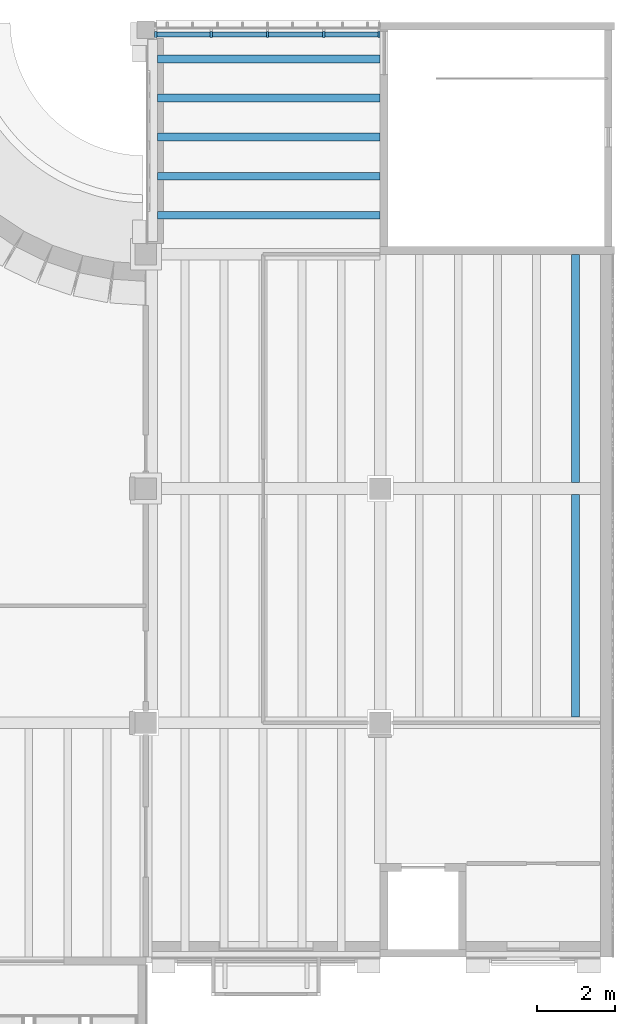
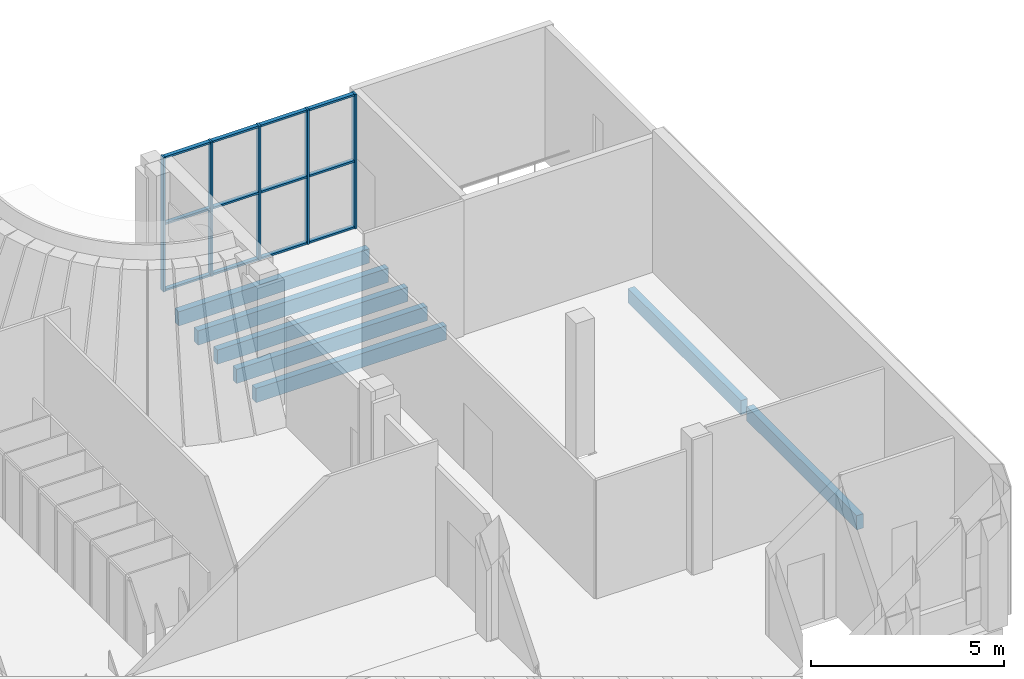
# One storey, part 16 of 70: 17 members, 7 beams, 1 element without a shape of its own.
"""IFC4 building model written with IfcOpenShell, lengths in metres."""

from ifc_helpers import new_model, si_unit, direction, frame, origin, origin_2d, place, context, subcontext, project, spatial, rectangle, extrude, material, material_profile, profile_set, type_object, element, aggregate, save


model = new_model("IFC4")

# Units and contexts
model_context = context("Model", 3, precision=1e-05, world=origin(), true_north=direction((0.0, 1.0)))
body_context = subcontext(model_context, "Body", "Model", "MODEL_VIEW")
ifc_project = project(units=[si_unit("LENGTHUNIT", "METRE"), si_unit("AREAUNIT", "SQUARE_METRE"), si_unit("VOLUMEUNIT", "CUBIC_METRE"), si_unit("PLANEANGLEUNIT", "RADIAN"), si_unit("MASSUNIT", "GRAM", prefix="KILO")], contexts=[model_context])

# Site, building, storey
site_placement = place(None, origin())
site = spatial("IfcSite", under=ifc_project, at=site_placement, CompositionType="ELEMENT")
building_placement = place(site_placement, origin())
building = spatial("IfcBuilding", under=site, at=building_placement, Name="Saffron Lane Theatres", CompositionType="ELEMENT")
storey_placement = place(building_placement, frame((0.0, 0.0, 12.0)))
storey = spatial("IfcBuildingStorey", under=building, at=storey_placement, Name="L02", CompositionType="ELEMENT", Elevation=12.0)

# Curtain wall, members
ifc_material_1 = material(Name="Aluminium", Category="aluminium")
curtain_wall_type = type_object("IfcCurtainWallType", Name="EX-CURTAIN WALL 5770x4250x160", PredefinedType="NOTDEFINED", material=ifc_material_1)
curtain_wall_placement = place(storey_placement, origin())
curtain_wall = element("IfcCurtainWall", 1, at=curtain_wall_placement, inside=storey, type_object=curtain_wall_type, Name="Curtain wall L02 03", PredefinedType="NOTDEFINED")
ifc_material_2 = material(Name="Aluminium", Category="aluminium")
ifc_material_profile_1 = material_profile(ifc_material_2, rectangle(XDim=0.06005859375, YDim=0.159912109375, at=origin_2d()))
ifc_profile_set_1 = profile_set([ifc_material_profile_1], Name="Aluminium")
member_type_1 = type_object("IfcMemberType", Name="EX-CW MULLION 60x160", PredefinedType="MULLION", material=ifc_profile_set_1)
member_1_placement = place(storey_placement, frame((54.255126953125, 125.6298828125, 0.0), z_axis=(0.0, 0.0, 1.0), x_axis=(1.0, 0.0, 0.0)))
member_1 = element("IfcMember", 2, at=member_1_placement, type_object=member_type_1, Name="CW-02-03 mullion 1", PredefinedType="MULLION", context=body_context, shape_type="SweptSolid", body=[
    extrude(rectangle(XDim=0.06005859375, YDim=0.159912109375, at=origin_2d()), origin(), (0.0, 0.0, 1.0), 4.25),
])
member_2_placement = place(storey_placement, frame((55.668701171875, 125.6298828125, 0.0), z_axis=(0.0, 0.0, 1.0), x_axis=(1.0, 0.0, 0.0)))
member_2 = element("IfcMember", 3, at=member_2_placement, type_object=member_type_1, Name="CW-02-03 mullion 2", PredefinedType="MULLION", context=body_context, shape_type="SweptSolid", body=[
    extrude(rectangle(XDim=0.06005859375, YDim=0.159912109375, at=origin_2d()), origin(), (0.0, 0.0, 1.0), 4.25),
])
member_3_placement = place(storey_placement, frame((57.112548828125, 125.6298828125, 0.0), z_axis=(0.0, 0.0, 1.0), x_axis=(1.0, 0.0, 0.0)))
member_3 = element("IfcMember", 4, at=member_3_placement, type_object=member_type_1, Name="CW-02-03 mullion 3", PredefinedType="MULLION", context=body_context, shape_type="SweptSolid", body=[
    extrude(rectangle(XDim=0.06005859375, YDim=0.159912109375, at=origin_2d()), origin(), (0.0, 0.0, 1.0), 4.25),
])
member_4_placement = place(storey_placement, frame((58.55615234375, 125.6298828125, 0.0), z_axis=(0.0, 0.0, 1.0), x_axis=(1.0, 0.0, 0.0)))
member_4 = element("IfcMember", 5, at=member_4_placement, type_object=member_type_1, Name="CW-02-03 mullion 4", PredefinedType="MULLION", context=body_context, shape_type="SweptSolid", body=[
    extrude(rectangle(XDim=0.06005859375, YDim=0.159912109375, at=origin_2d()), origin(), (0.0, 0.0, 1.0), 4.25),
])
member_5_placement = place(storey_placement, frame((59.969970703125, 125.6298828125, 0.0), z_axis=(0.0, 0.0, 1.0), x_axis=(1.0, 0.0, 0.0)))
member_5 = element("IfcMember", 6, at=member_5_placement, type_object=member_type_1, Name="CW-02-03 mullion 5", PredefinedType="MULLION", context=body_context, shape_type="SweptSolid", body=[
    extrude(rectangle(XDim=0.06005859375, YDim=0.159912109375, at=origin_2d()), origin(), (0.0, 0.0, 1.0), 4.25),
])
ifc_material_3 = material(Name="Aluminium", Category="aluminium")
ifc_material_profile_2 = material_profile(ifc_material_3, rectangle(XDim=0.1201171875, YDim=0.06005859375, at=origin_2d()))
ifc_profile_set_2 = profile_set([ifc_material_profile_2], Name="Aluminium")
member_type_2 = type_object("IfcMemberType", Name="EX-CW TRANSOM 120x60", PredefinedType="USERDEFINED", material=ifc_profile_set_2)
member_6_placement = place(storey_placement, frame((54.28515625, 125.6298828125, 0.030029296875), z_axis=(1.0, 0.0, 0.0), x_axis=(0.0, 1.0, 0.0)))
member_6 = element("IfcMember", 7, at=member_6_placement, type_object=member_type_2, Name="CW-02-03 transom 1.1", ObjectType="TRANSOM", PredefinedType="USERDEFINED", context=body_context, shape_type="SweptSolid", body=[
    extrude(rectangle(XDim=0.1201171875, YDim=0.06005859375, at=origin_2d()), origin(), (0.0, 0.0, 1.0), 1.353759765625),
])
member_7_placement = place(storey_placement, frame((54.28515625, 125.6298828125, 2.125), z_axis=(1.0, 0.0, 0.0), x_axis=(0.0, 1.0, 0.0)))
member_7 = element("IfcMember", 8, at=member_7_placement, type_object=member_type_2, Name="CW-02-03 transom 1.2", ObjectType="TRANSOM", PredefinedType="USERDEFINED", context=body_context, shape_type="SweptSolid", body=[
    extrude(rectangle(XDim=0.1201171875, YDim=0.06005859375, at=origin_2d()), origin(), (0.0, 0.0, 1.0), 1.353759765625),
])
member_8_placement = place(storey_placement, frame((54.28515625, 125.6298828125, 4.219970703125), z_axis=(1.0, 0.0, 0.0), x_axis=(0.0, 1.0, 0.0)))
member_8 = element("IfcMember", 9, at=member_8_placement, type_object=member_type_2, Name="CW-02-03 transom 1.3", ObjectType="TRANSOM", PredefinedType="USERDEFINED", context=body_context, shape_type="SweptSolid", body=[
    extrude(rectangle(XDim=0.1201171875, YDim=0.06005859375, at=origin_2d()), origin(), (0.0, 0.0, 1.0), 1.353759765625),
])
member_9_placement = place(storey_placement, frame((55.69873046875, 125.6298828125, 0.030029296875), z_axis=(1.0, 0.0, 0.0), x_axis=(0.0, 1.0, 0.0)))
member_9 = element("IfcMember", 10, at=member_9_placement, type_object=member_type_2, Name="CW-02-03 transom 2.1", ObjectType="TRANSOM", PredefinedType="USERDEFINED", context=body_context, shape_type="SweptSolid", body=[
    extrude(rectangle(XDim=0.1201171875, YDim=0.06005859375, at=origin_2d()), origin(), (0.0, 0.0, 1.0), 1.3837890625),
])
member_10_placement = place(storey_placement, frame((55.69873046875, 125.6298828125, 2.125), z_axis=(1.0, 0.0, 0.0), x_axis=(0.0, 1.0, 0.0)))
member_10 = element("IfcMember", 11, at=member_10_placement, type_object=member_type_2, Name="CW-02-03 transom 2.2", ObjectType="TRANSOM", PredefinedType="USERDEFINED", context=body_context, shape_type="SweptSolid", body=[
    extrude(rectangle(XDim=0.1201171875, YDim=0.06005859375, at=origin_2d()), origin(), (0.0, 0.0, 1.0), 1.3837890625),
])
member_11_placement = place(storey_placement, frame((55.69873046875, 125.6298828125, 4.219970703125), z_axis=(1.0, 0.0, 0.0), x_axis=(0.0, 1.0, 0.0)))
member_11 = element("IfcMember", 12, at=member_11_placement, type_object=member_type_2, Name="CW-02-03 transom 2.3", ObjectType="TRANSOM", PredefinedType="USERDEFINED", context=body_context, shape_type="SweptSolid", body=[
    extrude(rectangle(XDim=0.1201171875, YDim=0.06005859375, at=origin_2d()), origin(), (0.0, 0.0, 1.0), 1.3837890625),
])
member_12_placement = place(storey_placement, frame((57.142578125, 125.6298828125, 0.030029296875), z_axis=(1.0, 0.0, 0.0), x_axis=(0.0, 1.0, 0.0)))
member_12 = element("IfcMember", 13, at=member_12_placement, type_object=member_type_2, Name="CW-02-03 transom 3.1", ObjectType="TRANSOM", PredefinedType="USERDEFINED", context=body_context, shape_type="SweptSolid", body=[
    extrude(rectangle(XDim=0.1201171875, YDim=0.06005859375, at=origin_2d()), origin(), (0.0, 0.0, 1.0), 1.3837890625),
])
member_13_placement = place(storey_placement, frame((57.142578125, 125.6298828125, 2.125), z_axis=(1.0, 0.0, 0.0), x_axis=(0.0, 1.0, 0.0)))
member_13 = element("IfcMember", 14, at=member_13_placement, type_object=member_type_2, Name="CW-02-03 transom 3.2", ObjectType="TRANSOM", PredefinedType="USERDEFINED", context=body_context, shape_type="SweptSolid", body=[
    extrude(rectangle(XDim=0.1201171875, YDim=0.06005859375, at=origin_2d()), origin(), (0.0, 0.0, 1.0), 1.3837890625),
])
member_14_placement = place(storey_placement, frame((57.142578125, 125.6298828125, 4.219970703125), z_axis=(1.0, 0.0, 0.0), x_axis=(0.0, 1.0, 0.0)))
member_14 = element("IfcMember", 15, at=member_14_placement, type_object=member_type_2, Name="CW-02-03 transom 3.3", ObjectType="TRANSOM", PredefinedType="USERDEFINED", context=body_context, shape_type="SweptSolid", body=[
    extrude(rectangle(XDim=0.1201171875, YDim=0.06005859375, at=origin_2d()), origin(), (0.0, 0.0, 1.0), 1.3837890625),
])
member_15_placement = place(storey_placement, frame((58.586181640625, 125.6298828125, 0.030029296875), z_axis=(1.0, 0.0, 0.0), x_axis=(0.0, 1.0, 0.0)))
member_15 = element("IfcMember", 16, at=member_15_placement, type_object=member_type_2, Name="CW-02-03 transom 4.1", ObjectType="TRANSOM", PredefinedType="USERDEFINED", context=body_context, shape_type="SweptSolid", body=[
    extrude(rectangle(XDim=0.1201171875, YDim=0.06005859375, at=origin_2d()), origin(), (0.0, 0.0, 1.0), 1.353759765625),
])
member_16_placement = place(storey_placement, frame((58.586181640625, 125.6298828125, 2.125), z_axis=(1.0, 0.0, 0.0), x_axis=(0.0, 1.0, 0.0)))
member_16 = element("IfcMember", 17, at=member_16_placement, type_object=member_type_2, Name="CW-02-03 transom 4.2", ObjectType="TRANSOM", PredefinedType="USERDEFINED", context=body_context, shape_type="SweptSolid", body=[
    extrude(rectangle(XDim=0.1201171875, YDim=0.06005859375, at=origin_2d()), origin(), (0.0, 0.0, 1.0), 1.353759765625),
])
member_17_placement = place(storey_placement, frame((58.586181640625, 125.6298828125, 4.219970703125), z_axis=(1.0, 0.0, 0.0), x_axis=(0.0, 1.0, 0.0)))
member_17 = element("IfcMember", 18, at=member_17_placement, type_object=member_type_2, Name="CW-02-03 transom 4.3", ObjectType="TRANSOM", PredefinedType="USERDEFINED", context=body_context, shape_type="SweptSolid", body=[
    extrude(rectangle(XDim=0.1201171875, YDim=0.06005859375, at=origin_2d()), origin(), (0.0, 0.0, 1.0), 1.353759765625),
])
aggregate(curtain_wall, [member_1, member_2, member_3, member_4, member_5, member_6, member_7, member_8, member_9, member_10, member_11, member_12, member_13, member_14, member_15, member_16, member_17])

# Beams
ifc_material_4 = material(Name="Concrete N40 (40 MPa)", Category="concrete")
ifc_material_profile_3 = material_profile(ifc_material_4, rectangle(XDim=0.199951171875, YDim=0.449951171875, at=origin_2d()))
ifc_profile_set_3 = profile_set([ifc_material_profile_3], Name="Concrete N40 (40 MPa)")
beam_type = type_object("IfcBeamType", Name="RC-JOIST 200x450", PredefinedType="JOIST", material=ifc_profile_set_3)
for number, where, z_axis, x_axis, name in (
    (19, (54.300048828125, 121.0, -0.47509765625), (1.0, 0.0, 0.0), (0.0, 1.0, 0.0), "joist-L02-x12100-543"),
    (20, (54.300048828125, 122.0, -0.47509765625), (1.0, 0.0, 0.0), (0.0, 1.0, 0.0), "joist-L02-x12200-543"),
    (21, (54.300048828125, 123.0, -0.47509765625), (1.0, 0.0, 0.0), (0.0, 1.0, 0.0), "joist-L02-x12300-543"),
    (22, (54.300048828125, 124.0, -0.47509765625), (1.0, 0.0, 0.0), (0.0, 1.0, 0.0), "joist-L02-x12400-543"),
    (23, (54.300048828125, 125.0, -0.47509765625), (1.0, 0.0, 0.0), (0.0, 1.0, 0.0), "joist-L02-x12500-543"),
):
    element("IfcBeam", number, at=place(storey_placement, frame(where, z_axis=z_axis, x_axis=x_axis)), inside=storey, type_object=beam_type, Name=name, PredefinedType="JOIST", context=body_context, shape_type="SweptSolid", body=[
        extrude(rectangle(XDim=0.199951171875, YDim=0.449951171875, at=origin_2d()), origin(), (0.0, 0.0, 1.0), 5.699951171875),
    ])
beam_1_placement = place(storey_placement, frame((65.0, 108.14990234375, -0.47509765625), z_axis=(0.0, 1.0, 0.0), x_axis=(-1.0, 0.0, 0.0)))
element("IfcBeam", 24, at=beam_1_placement, inside=storey, type_object=beam_type, Name="joist-L02-y6500-1082", PredefinedType="JOIST", context=body_context, shape_type="SweptSolid", body=[
    extrude(rectangle(XDim=0.199951171875, YDim=0.449951171875, at=origin_2d()), origin(), (0.0, 0.0, 1.0), 5.7001953125),
])
beam_2_placement = place(storey_placement, frame((65.0, 114.14990234375, -0.47509765625), z_axis=(0.0, 1.0, 0.0), x_axis=(-1.0, 0.0, 0.0)))
element("IfcBeam", 25, at=beam_2_placement, inside=storey, type_object=beam_type, Name="joist-L02-y6500-1142", PredefinedType="JOIST", context=body_context, shape_type="SweptSolid", body=[
    extrude(rectangle(XDim=0.199951171875, YDim=0.449951171875, at=origin_2d()), origin(), (0.0, 0.0, 1.0), 5.85009765625),
])

save(model, "model.ifc")
